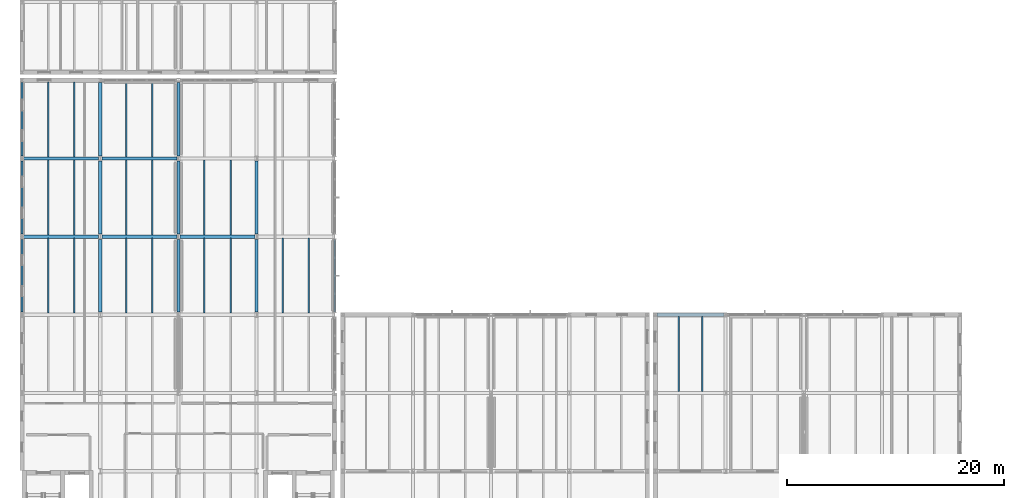
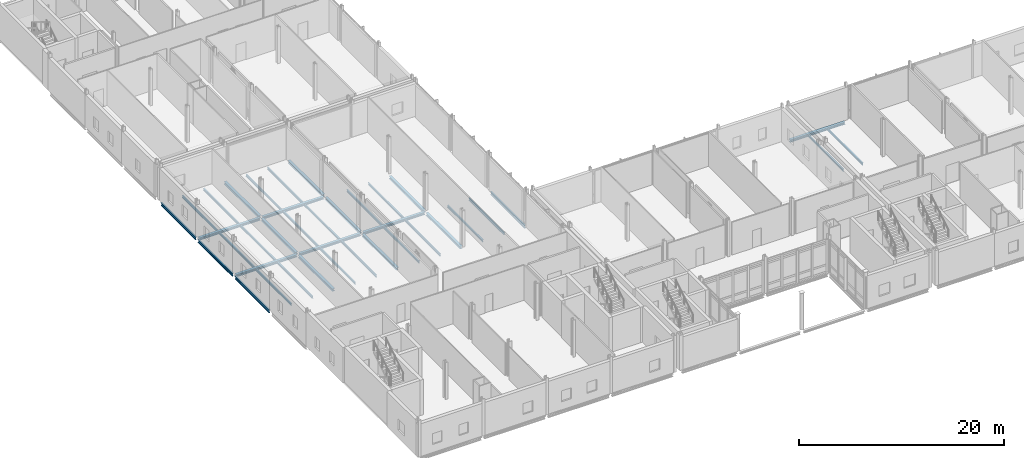
# One storey, part 18 of 72: 38 beams.
"""IFC4 building model written with IfcOpenShell, lengths in metres."""

from ifc_helpers import new_model, si_unit, direction, frame, origin, origin_2d, place, context, subcontext, project, spatial, i_section, extrude, material, material_profile, profile_set, type_object, element, save


model = new_model("IFC4")

# Units and contexts
model_context = context("Model", 3, precision=1e-05, world=origin(), true_north=direction((0.0, 1.0)))
body_context = subcontext(model_context, "Body", "Model", "MODEL_VIEW")
ifc_project = project(units=[si_unit("LENGTHUNIT", "METRE"), si_unit("AREAUNIT", "SQUARE_METRE"), si_unit("VOLUMEUNIT", "CUBIC_METRE"), si_unit("PLANEANGLEUNIT", "RADIAN"), si_unit("MASSUNIT", "GRAM", prefix="KILO")], contexts=[model_context])

# Site, building, storey
site_placement = place(None, origin())
site = spatial("IfcSite", under=ifc_project, at=site_placement, CompositionType="ELEMENT")
building_placement = place(site_placement, origin())
building = spatial("IfcBuilding", under=site, at=building_placement, Name="Zarrinpeak Specialist Clinic", CompositionType="ELEMENT")
storey_placement = place(building_placement, frame((0.0, 0.0, 9.60009765625)))
storey = spatial("IfcBuildingStorey", under=building, at=storey_placement, Name="L02", CompositionType="ELEMENT", Elevation=9.60009765625)

# Beams
ifc_material = material(Name="Steel S355", Category="steel")
ifc_material_profile_1 = material_profile(ifc_material, i_section(OverallWidth=0.300048828125, OverallDepth=0.2900390625, WebThickness=0.008544921875, FlangeThickness=0.013916015625, FilletRadius=0.027099609375, at=origin_2d()), Name="HEA 300")
ifc_profile_set_1 = profile_set([ifc_material_profile_1], Name="Steel S355")
beam_type_1 = type_object("IfcBeamType", Name="BM-HEA300", PredefinedType="BEAM", material=ifc_profile_set_1)
beam_1_placement = place(storey_placement, frame((58.468017578125, 28.800048828125, -0.360107421875), z_axis=(1.0, 0.0, 0.0), x_axis=(0.0, 1.0, 0.0)))
element("IfcBeam", 1, at=beam_1_placement, inside=storey, type_object=beam_type_1, Name="L02 Primary Floor Girder BM-L02-X1155", PredefinedType="BEAM", context=body_context, shape_type="SweptSolid", body=[
    extrude(i_section(OverallWidth=0.300048828125, OverallDepth=0.2900390625, WebThickness=0.008544921875, FlangeThickness=0.013916015625, FilletRadius=0.027099609375, at=origin_2d()), origin(), (0.0, 0.0, 1.0), 6.18408203125),
])
for number, where, z_axis, x_axis, name in (
    (2, (0.14794921875, 36.0, -0.360107421875), (1.0, 0.0, 0.0), (0.0, 1.0, 0.0), "L02 Primary Floor Girder BM-L02-X1161"),
    (3, (7.347900390625, 36.0, -0.360107421875), (1.0, 0.0, 0.0), (0.0, 1.0, 0.0), "L02 Primary Floor Girder BM-L02-X1162"),
):
    element("IfcBeam", number, at=place(storey_placement, frame(where, z_axis=z_axis, x_axis=x_axis)), inside=storey, type_object=beam_type_1, Name=name, PredefinedType="BEAM", context=body_context, shape_type="SweptSolid", body=[
        extrude(i_section(OverallWidth=0.300048828125, OverallDepth=0.2900390625, WebThickness=0.008544921875, FlangeThickness=0.013916015625, FilletRadius=0.027099609375, at=origin_2d()), origin(), (0.0, 0.0, 1.0), 6.904052734375),
    ])
beam_2_placement = place(storey_placement, frame((14.548095703125, 36.0, -0.360107421875), z_axis=(1.0, 0.0, 0.0), x_axis=(0.0, 1.0, 0.0)))
element("IfcBeam", 4, at=beam_2_placement, inside=storey, type_object=beam_type_1, Name="L02 Primary Floor Girder BM-L02-X1163", PredefinedType="BEAM", context=body_context, shape_type="SweptSolid", body=[
    extrude(i_section(OverallWidth=0.300048828125, OverallDepth=0.2900390625, WebThickness=0.008544921875, FlangeThickness=0.013916015625, FilletRadius=0.027099609375, at=origin_2d()), origin(), (0.0, 0.0, 1.0), 6.90380859375),
])
for number, where, z_axis, x_axis, name in (
    (5, (0.14794921875, 43.199951171875, -0.360107421875), (1.0, 0.0, 0.0), (0.0, 1.0, 0.0), "L02 Primary Floor Girder BM-L02-X1166"),
    (6, (7.347900390625, 43.199951171875, -0.360107421875), (1.0, 0.0, 0.0), (0.0, 1.0, 0.0), "L02 Primary Floor Girder BM-L02-X1167"),
):
    element("IfcBeam", number, at=place(storey_placement, frame(where, z_axis=z_axis, x_axis=x_axis)), inside=storey, type_object=beam_type_1, Name=name, PredefinedType="BEAM", context=body_context, shape_type="SweptSolid", body=[
        extrude(i_section(OverallWidth=0.300048828125, OverallDepth=0.2900390625, WebThickness=0.008544921875, FlangeThickness=0.013916015625, FilletRadius=0.027099609375, at=origin_2d()), origin(), (0.0, 0.0, 1.0), 6.904052734375),
    ])
beam_3_placement = place(storey_placement, frame((7.199951171875, 29.048095703125, -0.360107421875), z_axis=(0.0, 1.0, 0.0), x_axis=(-1.0, 0.0, 0.0)))
element("IfcBeam", 7, at=beam_3_placement, inside=storey, type_object=beam_type_1, Name="L02 Primary Beam BM-L02-Y1234", PredefinedType="BEAM", context=body_context, shape_type="SweptSolid", body=[
    extrude(i_section(OverallWidth=0.300048828125, OverallDepth=0.2900390625, WebThickness=0.008544921875, FlangeThickness=0.013916015625, FilletRadius=0.027099609375, at=origin_2d()), origin(), (0.0, 0.0, 1.0), 6.703857421875),
])
beam_4_placement = place(storey_placement, frame((7.199951171875, 36.248046875, -0.360107421875), z_axis=(0.0, 1.0, 0.0), x_axis=(-1.0, 0.0, 0.0)))
element("IfcBeam", 8, at=beam_4_placement, inside=storey, type_object=beam_type_1, Name="L02 Primary Beam BM-L02-Y1235", PredefinedType="BEAM", context=body_context, shape_type="SweptSolid", body=[
    extrude(i_section(OverallWidth=0.300048828125, OverallDepth=0.2900390625, WebThickness=0.008544921875, FlangeThickness=0.013916015625, FilletRadius=0.027099609375, at=origin_2d()), origin(), (0.0, 0.0, 1.0), 6.72900390625),
])
beam_5_placement = place(storey_placement, frame((7.199951171875, 43.423095703125, -0.360107421875), z_axis=(0.0, 1.0, 0.0), x_axis=(-1.0, 0.0, 0.0)))
element("IfcBeam", 9, at=beam_5_placement, inside=storey, type_object=beam_type_1, Name="L02 Primary Beam BM-L02-Y1236", PredefinedType="BEAM", context=body_context, shape_type="SweptSolid", body=[
    extrude(i_section(OverallWidth=0.300048828125, OverallDepth=0.2900390625, WebThickness=0.008544921875, FlangeThickness=0.013916015625, FilletRadius=0.027099609375, at=origin_2d()), origin(), (0.0, 0.0, 1.0), 6.77880859375),
])
beam_6_placement = place(storey_placement, frame((14.39990234375, 29.048095703125, -0.360107421875), z_axis=(0.0, 1.0, 0.0), x_axis=(-1.0, 0.0, 0.0)))
element("IfcBeam", 10, at=beam_6_placement, inside=storey, type_object=beam_type_1, Name="L02 Primary Beam BM-L02-Y1246", PredefinedType="BEAM", context=body_context, shape_type="SweptSolid", body=[
    extrude(i_section(OverallWidth=0.300048828125, OverallDepth=0.2900390625, WebThickness=0.008544921875, FlangeThickness=0.013916015625, FilletRadius=0.027099609375, at=origin_2d()), origin(), (0.0, 0.0, 1.0), 6.703857421875),
])
beam_7_placement = place(storey_placement, frame((14.39990234375, 36.248046875, -0.360107421875), z_axis=(0.0, 1.0, 0.0), x_axis=(-1.0, 0.0, 0.0)))
element("IfcBeam", 11, at=beam_7_placement, inside=storey, type_object=beam_type_1, Name="L02 Primary Beam BM-L02-Y1247", PredefinedType="BEAM", context=body_context, shape_type="SweptSolid", body=[
    extrude(i_section(OverallWidth=0.300048828125, OverallDepth=0.2900390625, WebThickness=0.008544921875, FlangeThickness=0.013916015625, FilletRadius=0.027099609375, at=origin_2d()), origin(), (0.0, 0.0, 1.0), 6.72900390625),
])
beam_8_placement = place(storey_placement, frame((14.39990234375, 43.423095703125, -0.360107421875), z_axis=(0.0, 1.0, 0.0), x_axis=(-1.0, 0.0, 0.0)))
element("IfcBeam", 12, at=beam_8_placement, inside=storey, type_object=beam_type_1, Name="L02 Primary Beam BM-L02-Y1248", PredefinedType="BEAM", context=body_context, shape_type="SweptSolid", body=[
    extrude(i_section(OverallWidth=0.300048828125, OverallDepth=0.2900390625, WebThickness=0.008544921875, FlangeThickness=0.013916015625, FilletRadius=0.027099609375, at=origin_2d()), origin(), (0.0, 0.0, 1.0), 6.77880859375),
])
beam_9_placement = place(storey_placement, frame((21.60009765625, 29.048095703125, -0.360107421875), z_axis=(0.0, 1.0, 0.0), x_axis=(-1.0, 0.0, 0.0)))
element("IfcBeam", 13, at=beam_9_placement, inside=storey, type_object=beam_type_1, Name="L02 Primary Beam BM-L02-Y1258", PredefinedType="BEAM", context=body_context, shape_type="SweptSolid", body=[
    extrude(i_section(OverallWidth=0.300048828125, OverallDepth=0.2900390625, WebThickness=0.008544921875, FlangeThickness=0.013916015625, FilletRadius=0.027099609375, at=origin_2d()), origin(), (0.0, 0.0, 1.0), 6.703857421875),
])
beam_10_placement = place(storey_placement, frame((21.60009765625, 36.248046875, -0.360107421875), z_axis=(0.0, 1.0, 0.0), x_axis=(-1.0, 0.0, 0.0)))
element("IfcBeam", 14, at=beam_10_placement, inside=storey, type_object=beam_type_1, Name="L02 Primary Beam BM-L02-Y1259", PredefinedType="BEAM", context=body_context, shape_type="SweptSolid", body=[
    extrude(i_section(OverallWidth=0.300048828125, OverallDepth=0.2900390625, WebThickness=0.008544921875, FlangeThickness=0.013916015625, FilletRadius=0.027099609375, at=origin_2d()), origin(), (0.0, 0.0, 1.0), 6.72900390625),
])
ifc_material_profile_2 = material_profile(ifc_material, i_section(OverallWidth=0.135009765625, OverallDepth=0.27001953125, WebThickness=0.006591796875, FlangeThickness=0.01025390625, FilletRadius=0.014892578125, at=origin_2d()), Name="IPE 270")
ifc_profile_set_2 = profile_set([ifc_material_profile_2], Name="Steel S355")
beam_type_2 = type_object("IfcBeamType", Name="BM-JST270", PredefinedType="JOIST", material=ifc_profile_set_2)
for number, where, z_axis, x_axis, name in (
    (15, (2.39990234375, 28.947998046875, -0.35009765625), (0.0, 1.0, 0.0), (-1.0, 0.0, 0.0), "L02 Composite Floor Joist JST-L02-1333"),
    (16, (4.800048828125, 28.947998046875, -0.35009765625), (0.0, 1.0, 0.0), (-1.0, 0.0, 0.0), "L02 Composite Floor Joist JST-L02-1334"),
    (17, (2.39990234375, 36.14794921875, -0.35009765625), (0.0, 1.0, 0.0), (-1.0, 0.0, 0.0), "L02 Composite Floor Joist JST-L02-1335"),
    (18, (4.800048828125, 36.14794921875, -0.35009765625), (0.0, 1.0, 0.0), (-1.0, 0.0, 0.0), "L02 Composite Floor Joist JST-L02-1336"),
    (19, (2.39990234375, 43.347900390625, -0.35009765625), (0.0, 1.0, 0.0), (-1.0, 0.0, 0.0), "L02 Composite Floor Joist JST-L02-1337"),
    (20, (4.800048828125, 43.347900390625, -0.35009765625), (0.0, 1.0, 0.0), (-1.0, 0.0, 0.0), "L02 Composite Floor Joist JST-L02-1338"),
    (21, (9.60009765625, 28.947998046875, -0.35009765625), (0.0, 1.0, 0.0), (-1.0, 0.0, 0.0), "L02 Composite Floor Joist JST-L02-1347"),
    (22, (12.0, 28.947998046875, -0.35009765625), (0.0, 1.0, 0.0), (-1.0, 0.0, 0.0), "L02 Composite Floor Joist JST-L02-1348"),
    (23, (9.60009765625, 36.14794921875, -0.35009765625), (0.0, 1.0, 0.0), (-1.0, 0.0, 0.0), "L02 Composite Floor Joist JST-L02-1349"),
    (24, (12.0, 36.14794921875, -0.35009765625), (0.0, 1.0, 0.0), (-1.0, 0.0, 0.0), "L02 Composite Floor Joist JST-L02-1350"),
    (25, (9.60009765625, 43.347900390625, -0.35009765625), (0.0, 1.0, 0.0), (-1.0, 0.0, 0.0), "L02 Composite Floor Joist JST-L02-1351"),
    (26, (12.0, 43.347900390625, -0.35009765625), (0.0, 1.0, 0.0), (-1.0, 0.0, 0.0), "L02 Composite Floor Joist JST-L02-1352"),
    (27, (16.800048828125, 28.947998046875, -0.35009765625), (0.0, 1.0, 0.0), (-1.0, 0.0, 0.0), "L02 Composite Floor Joist JST-L02-1361"),
    (28, (19.199951171875, 28.947998046875, -0.35009765625), (0.0, 1.0, 0.0), (-1.0, 0.0, 0.0), "L02 Composite Floor Joist JST-L02-1362"),
    (29, (16.800048828125, 36.14794921875, -0.35009765625), (0.0, 1.0, 0.0), (-1.0, 0.0, 0.0), "L02 Composite Floor Joist JST-L02-1363"),
    (30, (19.199951171875, 36.14794921875, -0.35009765625), (0.0, 1.0, 0.0), (-1.0, 0.0, 0.0), "L02 Composite Floor Joist JST-L02-1364"),
    (31, (24.0, 28.947998046875, -0.35009765625), (0.0, 1.0, 0.0), (-1.0, 0.0, 0.0), "L02 Composite Floor Joist JST-L02-1369"),
    (32, (26.39990234375, 28.947998046875, -0.35009765625), (0.0, 1.0, 0.0), (-1.0, 0.0, 0.0), "L02 Composite Floor Joist JST-L02-1370"),
    (33, (60.47998046875, 21.748046875, -0.35009765625), (0.0, 1.0, 0.0), (-1.0, 0.0, 0.0), "L02 Composite Floor Joist JST-L02-1397"),
    (34, (62.639892578125, 21.748046875, -0.35009765625), (0.0, 1.0, 0.0), (-1.0, 0.0, 0.0), "L02 Composite Floor Joist JST-L02-1398"),
):
    element("IfcBeam", number, at=place(storey_placement, frame(where, z_axis=z_axis, x_axis=x_axis)), inside=storey, type_object=beam_type_2, Name=name, PredefinedType="JOIST", context=body_context, shape_type="SweptSolid", body=[
        extrude(i_section(OverallWidth=0.135009765625, OverallDepth=0.27001953125, WebThickness=0.006591796875, FlangeThickness=0.01025390625, FilletRadius=0.014892578125, at=origin_2d()), origin(), (0.0, 0.0, 1.0), 6.904052734375),
    ])
ifc_material_profile_3 = material_profile(ifc_material, i_section(OverallWidth=0.169921875, OverallDepth=0.360107421875, WebThickness=0.008056640625, FlangeThickness=0.0126953125, FilletRadius=0.01806640625, at=origin_2d()), Name="IPE 360")
ifc_profile_set_3 = profile_set([ifc_material_profile_3], Name="Steel S355")
beam_type_3 = type_object("IfcBeamType", Name="BM-SP360", PredefinedType="SPANDREL", material=ifc_profile_set_3)
beam_11_placement = place(storey_placement, frame((0.0, 29.048095703125, -0.39501953125), z_axis=(0.0, 1.0, 0.0), x_axis=(-1.0, 0.0, 0.0)))
element("IfcBeam", 35, at=beam_11_placement, inside=storey, type_object=beam_type_3, Name="L02 Perimeter Spandrel Beam BM-L02-Y1224", PredefinedType="SPANDREL", context=body_context, shape_type="SweptSolid", body=[
    extrude(i_section(OverallWidth=0.169921875, OverallDepth=0.360107421875, WebThickness=0.008056640625, FlangeThickness=0.0126953125, FilletRadius=0.01806640625, at=origin_2d()), origin(), (0.0, 0.0, 1.0), 6.703857421875),
])
beam_12_placement = place(storey_placement, frame((0.0, 36.248046875, -0.39501953125), z_axis=(0.0, 1.0, 0.0), x_axis=(-1.0, 0.0, 0.0)))
element("IfcBeam", 36, at=beam_12_placement, inside=storey, type_object=beam_type_3, Name="L02 Perimeter Spandrel Beam BM-L02-Y1225", PredefinedType="SPANDREL", context=body_context, shape_type="SweptSolid", body=[
    extrude(i_section(OverallWidth=0.169921875, OverallDepth=0.360107421875, WebThickness=0.008056640625, FlangeThickness=0.0126953125, FilletRadius=0.01806640625, at=origin_2d()), origin(), (0.0, 0.0, 1.0), 6.72900390625),
])
beam_13_placement = place(storey_placement, frame((0.0, 43.423095703125, -0.39501953125), z_axis=(0.0, 1.0, 0.0), x_axis=(-1.0, 0.0, 0.0)))
element("IfcBeam", 37, at=beam_13_placement, inside=storey, type_object=beam_type_3, Name="L02 Perimeter Spandrel Beam BM-L02-Y1226", PredefinedType="SPANDREL", context=body_context, shape_type="SweptSolid", body=[
    extrude(i_section(OverallWidth=0.169921875, OverallDepth=0.360107421875, WebThickness=0.008056640625, FlangeThickness=0.0126953125, FilletRadius=0.01806640625, at=origin_2d()), origin(), (0.0, 0.0, 1.0), 6.77880859375),
])
beam_14_placement = place(storey_placement, frame((28.800048828125, 29.048095703125, -0.39501953125), z_axis=(0.0, 1.0, 0.0), x_axis=(-1.0, 0.0, 0.0)))
element("IfcBeam", 38, at=beam_14_placement, inside=storey, type_object=beam_type_3, Name="L02 Perimeter Spandrel Beam BM-L02-Y1267", PredefinedType="SPANDREL", context=body_context, shape_type="SweptSolid", body=[
    extrude(i_section(OverallWidth=0.169921875, OverallDepth=0.360107421875, WebThickness=0.008056640625, FlangeThickness=0.0126953125, FilletRadius=0.01806640625, at=origin_2d()), origin(), (0.0, 0.0, 1.0), 6.703857421875),
])

save(model, "model.ifc")
